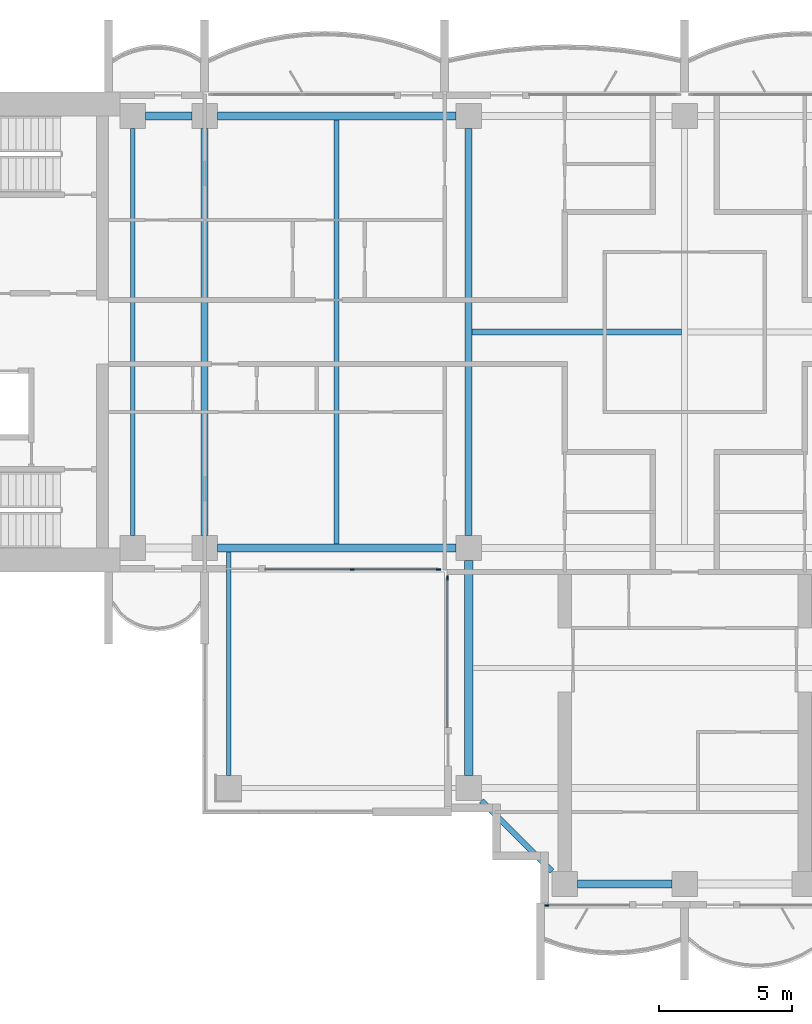
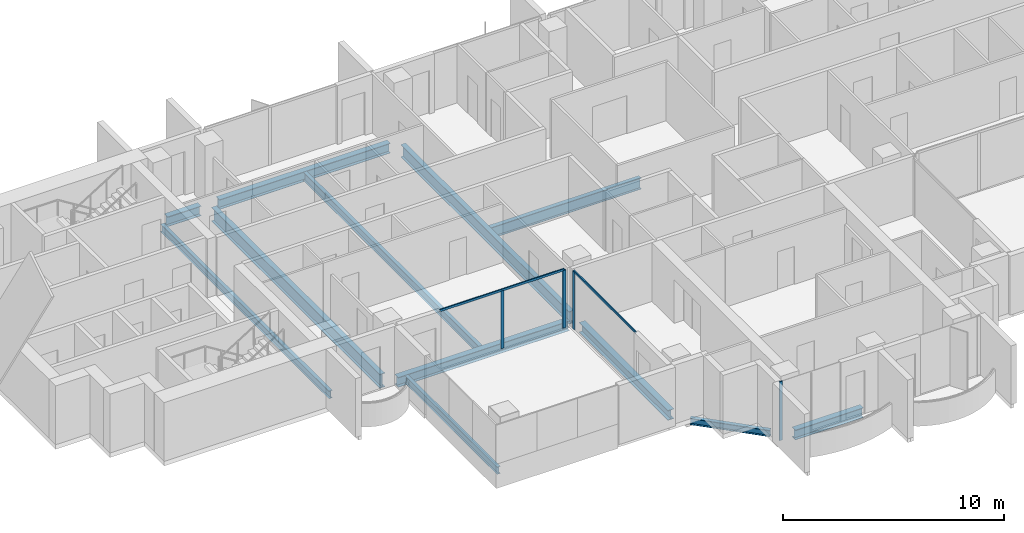
# One storey, part 2 of 17: 12 beams, 6 members, 3 elements without a shape of their own.
"""IFC4 building model written with IfcOpenShell, lengths in metres."""

from ifc_helpers import new_model, si_unit, direction, frame, origin, origin_2d, place, context, subcontext, project, spatial, rectangle, i_section, extrude, material, material_profile, profile_set, type_object, element, aggregate, save


model = new_model("IFC4")

# Units and contexts
model_context = context("Model", 3, precision=1e-05, world=origin(), true_north=direction((0.0, 1.0)))
body_context = subcontext(model_context, "Body", "Model", "MODEL_VIEW")
ifc_project = project(units=[si_unit("LENGTHUNIT", "METRE"), si_unit("AREAUNIT", "SQUARE_METRE"), si_unit("VOLUMEUNIT", "CUBIC_METRE"), si_unit("PLANEANGLEUNIT", "RADIAN"), si_unit("MASSUNIT", "GRAM", prefix="KILO")], contexts=[model_context])

# Site, building, storey
site_placement = place(None, origin())
site = spatial("IfcSite", under=ifc_project, at=site_placement, CompositionType="ELEMENT")
building_placement = place(site_placement, origin())
building = spatial("IfcBuilding", under=site, at=building_placement, Name="Perihelion Cross Residences", CompositionType="ELEMENT")
storey_placement = place(building_placement, frame((0.0, 0.0, 180.60009765625)))
storey = spatial("IfcBuildingStorey", under=building, at=storey_placement, Name="L44", CompositionType="ELEMENT", Elevation=180.60009765625)

# Curtain wall, members
ifc_material_1 = material(Name="Bronze anodised aluminium, tinted glazing", Category="aluminium")
curtain_wall_type = type_object("IfcCurtainWallType", Name="CW1", PredefinedType="NOTDEFINED", material=ifc_material_1)
curtain_wall_1_placement = place(storey_placement, origin())
curtain_wall_1 = element("IfcCurtainWall", 1, at=curtain_wall_1_placement, inside=storey, type_object=curtain_wall_type, Name="Curtain wall CW1 L44 west side south bay 2", PredefinedType="NOTDEFINED")
ifc_material_2 = material(Name="Bronze anodised aluminium", Category="aluminium")
ifc_material_profile_1 = material_profile(ifc_material_2, rectangle(XDim=0.06005859375, YDim=0.159912109375, at=origin_2d()), Name="CW1 mullion")
ifc_profile_set_1 = profile_set([ifc_material_profile_1], Name="Bronze anodised aluminium")
member_type_1 = type_object("IfcMemberType", Name="CW1 mullion", PredefinedType="MULLION", material=ifc_profile_set_1)
member_1_placement = place(storey_placement, frame((-12.46240234375, -8.89990234375, 0.0), z_axis=(0.0, 0.0, 1.0), x_axis=(0.0, 1.0, 0.0)))
member_1 = element("IfcMember", 2, at=member_1_placement, type_object=member_type_1, Name="CW1 mullion 2", PredefinedType="MULLION", context=body_context, shape_type="SweptSolid", body=[
    extrude(rectangle(XDim=0.06005859375, YDim=0.159912109375, at=origin_2d()), origin(), (0.0, 0.0, 1.0), 3.18994140625),
])
member_2_placement = place(storey_placement, frame((-9.22998046875, -8.89990234375, 0.0), z_axis=(0.0, 0.0, 1.0), x_axis=(0.0, 1.0, 0.0)))
member_2 = element("IfcMember", 3, at=member_2_placement, type_object=member_type_1, Name="CW1 mullion 3", PredefinedType="MULLION", context=body_context, shape_type="SweptSolid", body=[
    extrude(rectangle(XDim=0.06005859375, YDim=0.159912109375, at=origin_2d()), origin(), (0.0, 0.0, 1.0), 3.18994140625),
])

# Curtain wall, member
curtain_wall_2_placement = place(storey_placement, origin())
curtain_wall_2 = element("IfcCurtainWall", 4, at=curtain_wall_2_placement, inside=storey, type_object=curtain_wall_type, Name="Curtain wall CW1 L44 south side west bay 1", PredefinedType="NOTDEFINED")
member_3_placement = place(storey_placement, frame((-8.89990234375, -9.22998046875, 0.0), z_axis=(0.0, 0.0, 1.0), x_axis=(1.0, 0.0, 0.0)))
member_3 = element("IfcMember", 5, at=member_3_placement, type_object=member_type_1, Name="CW1 mullion 1", PredefinedType="MULLION", context=body_context, shape_type="SweptSolid", body=[
    extrude(rectangle(XDim=0.06005859375, YDim=0.159912109375, at=origin_2d()), origin(), (0.0, 0.0, 1.0), 3.18994140625),
])

curtain_wall_3_placement = place(storey_placement, origin())
curtain_wall_3 = element("IfcCurtainWall", 6, at=curtain_wall_3_placement, inside=storey, type_object=curtain_wall_type, Name="Curtain wall CW1 L44 south tip south bay 1", PredefinedType="NOTDEFINED")
member_4_placement = place(storey_placement, frame((-5.169921875, -21.5, 0.0), z_axis=(0.0, 0.0, 1.0), x_axis=(0.0, 1.0, 0.0)))
member_4 = element("IfcMember", 7, at=member_4_placement, type_object=member_type_1, Name="CW1 mullion 1", PredefinedType="MULLION", context=body_context, shape_type="SweptSolid", body=[
    extrude(rectangle(XDim=0.06005859375, YDim=0.159912109375, at=origin_2d()), origin(), (0.0, 0.0, 1.0), 3.25),
])
aggregate(curtain_wall_3, [member_4])

# Member
ifc_material_3 = material(Name="Bronze anodised aluminium", Category="aluminium")
ifc_material_profile_2 = material_profile(ifc_material_3, rectangle(XDim=0.06005859375, YDim=0.1201171875, at=origin_2d()), Name="CW1 transom")
ifc_profile_set_2 = profile_set([ifc_material_profile_2], Name="Bronze anodised aluminium")
member_type_2 = type_object("IfcMemberType", Name="CW1 transom", PredefinedType="USERDEFINED", material=ifc_profile_set_2)
member_5_placement = place(storey_placement, frame((-15.72509765625, -8.89990234375, 3.219970703125), z_axis=(1.0, 0.0, 0.0), x_axis=(0.0, 1.0, 0.0)))
member_5 = element("IfcMember", 8, at=member_5_placement, type_object=member_type_2, Name="CW1 head transom", ObjectType="TRANSOM", PredefinedType="USERDEFINED", context=body_context, shape_type="SweptSolid", body=[
    extrude(rectangle(XDim=0.06005859375, YDim=0.1201171875, at=origin_2d()), origin(), (0.0, 0.0, 1.0), 6.4951171875),
])

aggregate(curtain_wall_1, [member_1, member_2, member_5])

member_6_placement = place(storey_placement, frame((-8.89990234375, -9.22998046875, 3.219970703125), z_axis=(0.0, -1.0, 0.0), x_axis=(1.0, 0.0, 0.0)))
member_6 = element("IfcMember", 9, at=member_6_placement, type_object=member_type_2, Name="CW1 head transom", ObjectType="TRANSOM", PredefinedType="USERDEFINED", context=body_context, shape_type="SweptSolid", body=[
    extrude(rectangle(XDim=0.06005859375, YDim=0.1201171875, at=origin_2d()), origin(), (0.0, 0.0, 1.0), 5.594970703125),
])

aggregate(curtain_wall_2, [member_3, member_6])

# Beams
ifc_material_4 = material(Name="Steel S355", Category="steel")
ifc_material_profile_3 = material_profile(ifc_material_4, i_section(OverallWidth=0.177978515625, OverallDepth=0.406005859375, WebThickness=0.0078125, FlangeThickness=0.0126953125, at=origin_2d()), Name="W410x60")
ifc_profile_set_3 = profile_set([ifc_material_profile_3], Name="Steel S355")
beam_type_1 = type_object("IfcBeamType", Name="Core edge beam W410x60", PredefinedType="BEAM", material=ifc_profile_set_3)
beam_1_placement = place(storey_placement, frame((-17.10009765625, -8.256103515625, -0.453125), z_axis=(0.0, -1.0, 0.0), x_axis=(1.0, 0.0, 0.0)))
element("IfcBeam", 10, at=beam_1_placement, inside=storey, type_object=beam_type_1, Name="Core edge beam TB2 L44 corner no. 1", PredefinedType="BEAM", context=body_context, shape_type="SweptSolid", body=[
    extrude(i_section(OverallWidth=0.177978515625, OverallDepth=0.406005859375, WebThickness=0.0078125, FlangeThickness=0.0126953125, at=origin_2d()), origin(), (0.0, 0.0, 1.0), 8.368896484375),
])
ifc_material_5 = material(Name="Steel S355", Category="steel")
ifc_material_profile_4 = material_profile(ifc_material_5, i_section(OverallWidth=0.180908203125, OverallDepth=0.4169921875, WebThickness=0.010986328125, FlangeThickness=0.018310546875, at=origin_2d()), Name="W410x85")
ifc_profile_set_4 = profile_set([ifc_material_profile_4], Name="Steel S355")
beam_type_2 = type_object("IfcBeamType", Name="Core edge beam W410x85", PredefinedType="BEAM", material=ifc_profile_set_4)
beam_2_placement = place(storey_placement, frame((-20.699951171875, -7.625, -0.45849609375), z_axis=(0.0, 1.0, 0.0), x_axis=(-1.0, 0.0, 0.0)))
element("IfcBeam", 11, at=beam_2_placement, inside=storey, type_object=beam_type_2, Name="Core edge beam TB6 L44 no. 1", PredefinedType="BEAM", context=body_context, shape_type="SweptSolid", body=[
    extrude(i_section(OverallWidth=0.180908203125, OverallDepth=0.4169921875, WebThickness=0.010986328125, FlangeThickness=0.018310546875, at=origin_2d()), origin(), (0.0, 0.0, 1.0), 15.25),
])
ifc_material_6 = material(Name="Steel S355", Category="steel")
ifc_material_profile_5 = material_profile(ifc_material_6, i_section(OverallWidth=0.31201171875, OverallDepth=0.5439453125, WebThickness=0.0126953125, FlangeThickness=0.020263671875, at=origin_2d()), Name="W530x150")
ifc_profile_set_5 = profile_set([ifc_material_profile_5], Name="Steel S355")
beam_type_3 = type_object("IfcBeamType", Name="Edge beam W530x150", PredefinedType="SPANDREL", material=ifc_profile_set_5)
beam_3_placement = place(storey_placement, frame((-8.574951171875, 8.10009765625, -0.522216796875), z_axis=(-1.0, 0.0, 0.0), x_axis=(0.0, -1.0, 0.0)))
element("IfcBeam", 12, at=beam_3_placement, inside=storey, type_object=beam_type_3, Name="Edge beam SB4 L44 no. 6", PredefinedType="SPANDREL", context=body_context, shape_type="SweptSolid", body=[
    extrude(i_section(OverallWidth=0.31201171875, OverallDepth=0.5439453125, WebThickness=0.0126953125, FlangeThickness=0.020263671875, at=origin_2d()), origin(), (0.0, 0.0, 1.0), 8.949951171875),
])
beam_4_placement = place(storey_placement, frame((-18.47509765625, 8.10009765625, -0.522216796875), z_axis=(-1.0, 0.0, 0.0), x_axis=(0.0, -1.0, 0.0)))
element("IfcBeam", 13, at=beam_4_placement, inside=storey, type_object=beam_type_3, Name="Edge beam SB4 L44 no. 2", PredefinedType="SPANDREL", context=body_context, shape_type="SweptSolid", body=[
    extrude(i_section(OverallWidth=0.31201171875, OverallDepth=0.5439453125, WebThickness=0.0126953125, FlangeThickness=0.020263671875, at=origin_2d()), origin(), (0.0, 0.0, 1.0), 1.75),
])
beam_5_placement = place(storey_placement, frame((-17.52490234375, -8.10009765625, -0.522216796875), z_axis=(1.0, 0.0, 0.0), x_axis=(0.0, 1.0, 0.0)))
element("IfcBeam", 14, at=beam_5_placement, inside=storey, type_object=beam_type_3, Name="Edge beam SB4 L44 no. 1", PredefinedType="SPANDREL", context=body_context, shape_type="SweptSolid", body=[
    extrude(i_section(OverallWidth=0.31201171875, OverallDepth=0.5439453125, WebThickness=0.0126953125, FlangeThickness=0.020263671875, at=origin_2d()), origin(), (0.0, 0.0, 1.0), 8.949951171875),
])
beam_6_placement = place(storey_placement, frame((-8.10009765625, -8.574951171875, -0.522216796875), z_axis=(0.0, -1.0, 0.0), x_axis=(1.0, 0.0, 0.0)))
element("IfcBeam", 15, at=beam_6_placement, inside=storey, type_object=beam_type_3, Name="Edge beam SB4 L44 no. 5", PredefinedType="SPANDREL", context=body_context, shape_type="SweptSolid", body=[
    extrude(i_section(OverallWidth=0.31201171875, OverallDepth=0.5439453125, WebThickness=0.0126953125, FlangeThickness=0.020263671875, at=origin_2d()), origin(), (0.0, 0.0, 1.0), 8.050048828125),
])
beam_7_placement = place(storey_placement, frame((-4.02490234375, -20.699951171875, -0.522216796875), z_axis=(1.0, 0.0, 0.0), x_axis=(0.0, 1.0, 0.0)))
element("IfcBeam", 16, at=beam_7_placement, inside=storey, type_object=beam_type_3, Name="Edge beam SB4 L44 no. 4", PredefinedType="SPANDREL", context=body_context, shape_type="SweptSolid", body=[
    extrude(i_section(OverallWidth=0.31201171875, OverallDepth=0.5439453125, WebThickness=0.0126953125, FlangeThickness=0.020263671875, at=origin_2d()), origin(), (0.0, 0.0, 1.0), 3.5498046875),
])
ifc_material_7 = material(Name="Steel S355", Category="steel")
ifc_material_profile_6 = material_profile(ifc_material_7, i_section(OverallWidth=0.26708984375, OverallDepth=0.77001953125, WebThickness=0.015625, FlangeThickness=0.025390625, at=origin_2d()), Name="W760x196")
ifc_profile_set_6 = profile_set([ifc_material_profile_6], Name="Steel S355")
beam_type_4 = type_object("IfcBeamType", Name="Floor girder W760x196", PredefinedType="BEAM", material=ifc_profile_set_6)
beam_8_placement = place(storey_placement, frame((-18.0, -7.625, -0.635009765625), z_axis=(0.0, 1.0, 0.0), x_axis=(-1.0, 0.0, 0.0)))
element("IfcBeam", 17, at=beam_8_placement, inside=storey, type_object=beam_type_4, Name="Girder G4 L44 no. 1", PredefinedType="BEAM", context=body_context, shape_type="SweptSolid", body=[
    extrude(i_section(OverallWidth=0.26708984375, OverallDepth=0.77001953125, WebThickness=0.015625, FlangeThickness=0.025390625, at=origin_2d()), origin(), (0.0, 0.0, 1.0), 15.25),
])
ifc_material_8 = material(Name="Steel S355", Category="steel")
ifc_material_profile_7 = material_profile(ifc_material_8, i_section(OverallWidth=0.19091796875, OverallDepth=0.45703125, WebThickness=0.009033203125, FlangeThickness=0.014404296875, at=origin_2d()), Name="W460x74")
ifc_profile_set_7 = profile_set([ifc_material_profile_7], Name="Steel S355")
beam_type_5 = type_object("IfcBeamType", Name="Floor joist W460x74", PredefinedType="JOIST", material=ifc_profile_set_7)
beam_9_placement = place(storey_placement, frame((-13.050048828125, -7.944091796875, -0.478515625), z_axis=(0.0, 1.0, 0.0), x_axis=(-1.0, 0.0, 0.0)))
element("IfcBeam", 18, at=beam_9_placement, inside=storey, type_object=beam_type_5, Name="Joist J5 L44 no. 1", PredefinedType="JOIST", context=body_context, shape_type="SweptSolid", body=[
    extrude(i_section(OverallWidth=0.19091796875, OverallDepth=0.45703125, WebThickness=0.009033203125, FlangeThickness=0.014404296875, at=origin_2d()), origin(), (0.0, 0.0, 1.0), 15.88818359375),
])
ifc_material_9 = material(Name="Steel S355", Category="steel")
ifc_material_profile_8 = material_profile(ifc_material_9, i_section(OverallWidth=0.22900390625, OverallDepth=0.612060546875, WebThickness=0.011962890625, FlangeThickness=0.01953125, at=origin_2d()), Name="W610x125")
ifc_profile_set_8 = profile_set([ifc_material_profile_8], Name="Steel S355")
beam_type_6 = type_object("IfcBeamType", Name="Hub cross beam W610x125", PredefinedType="BEAM", material=ifc_profile_set_8)
beam_10_placement = place(storey_placement, frame((-7.971435546875, 0.0, -0.55615234375), z_axis=(1.0, 0.0, 0.0), x_axis=(0.0, 1.0, 0.0)))
element("IfcBeam", 19, at=beam_10_placement, inside=storey, type_object=beam_type_6, Name="Hub cross beam XB4 L44 1 no. 1", PredefinedType="BEAM", context=body_context, shape_type="SweptSolid", body=[
    extrude(i_section(OverallWidth=0.22900390625, OverallDepth=0.612060546875, WebThickness=0.011962890625, FlangeThickness=0.01953125, at=origin_2d()), origin(), (0.0, 0.0, 1.0), 7.85693359375),
])
ifc_material_10 = material(Name="Steel S355", Category="steel")
ifc_material_profile_9 = material_profile(ifc_material_10, i_section(OverallWidth=0.257080078125, OverallDepth=0.693115234375, WebThickness=0.014404296875, FlangeThickness=0.023681640625, at=origin_2d()), Name="W690x170")
ifc_profile_set_9 = profile_set([ifc_material_profile_9], Name="Steel S355")
beam_type_7 = type_object("IfcBeamType", Name="Hub ring girder W690x170", PredefinedType="BEAM", material=ifc_profile_set_9)
beam_11_placement = place(storey_placement, frame((-8.10009765625, 7.625, -0.5966796875), z_axis=(0.0, -1.0, 0.0), x_axis=(1.0, 0.0, 0.0)))
element("IfcBeam", 20, at=beam_11_placement, inside=storey, type_object=beam_type_7, Name="Hub ring girder RG4 L44 no. 2", PredefinedType="BEAM", context=body_context, shape_type="SweptSolid", body=[
    extrude(i_section(OverallWidth=0.257080078125, OverallDepth=0.693115234375, WebThickness=0.014404296875, FlangeThickness=0.023681640625, at=origin_2d()), origin(), (0.0, 0.0, 1.0), 15.25),
])
ifc_material_11 = material(Name="Steel S355", Category="steel")
ifc_material_profile_10 = material_profile(ifc_material_11, i_section(OverallWidth=0.205078125, OverallDepth=0.35302734375, WebThickness=0.009521484375, FlangeThickness=0.016845703125, at=origin_2d()), Name="W360x79")
ifc_profile_set_10 = profile_set([ifc_material_profile_10], Name="Steel S355")
beam_type_8 = type_object("IfcBeamType", Name="Serration edge beam W360x79", PredefinedType="BEAM", material=ifc_profile_set_10)
beam_12_placement = place(storey_placement, frame((-7.625, -17.574951171875, -0.426513671875), z_axis=(0.70707420838, -0.707139352493, 0.0), x_axis=(0.707139352493, 0.70707420838, 0.0)))
element("IfcBeam", 21, at=beam_12_placement, inside=storey, type_object=beam_type_8, Name="Serration edge beam EB4 L44 no. 1", PredefinedType="BEAM", context=body_context, shape_type="SweptSolid", body=[
    extrude(i_section(OverallWidth=0.205078125, OverallDepth=0.35302734375, WebThickness=0.009521484375, FlangeThickness=0.016845703125, at=origin_2d()), origin(), (0.0, 0.0, 1.0), 3.747802734375),
])

save(model, "model.ifc")
